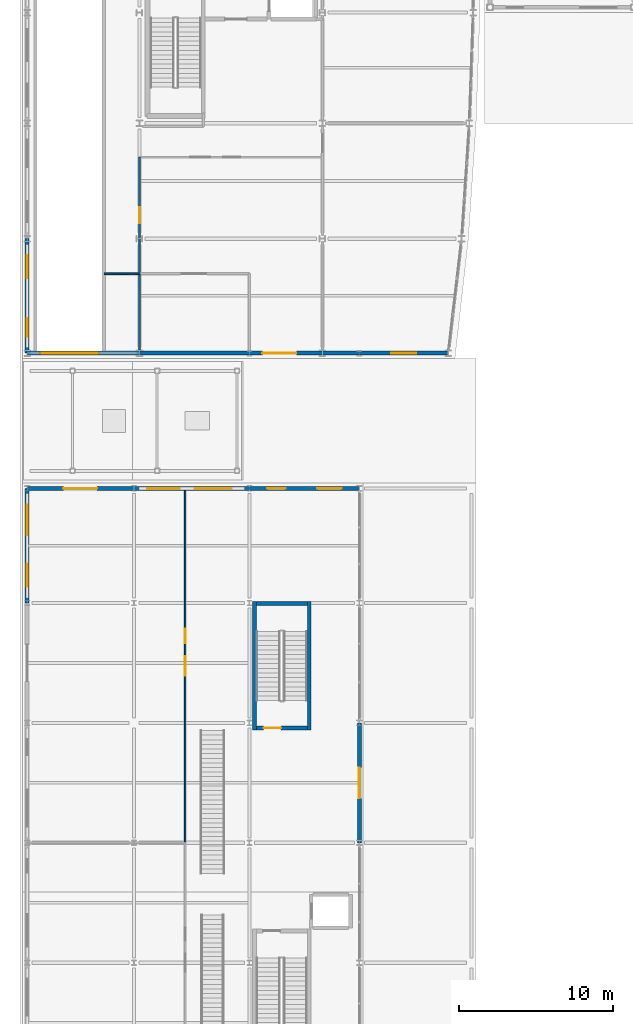
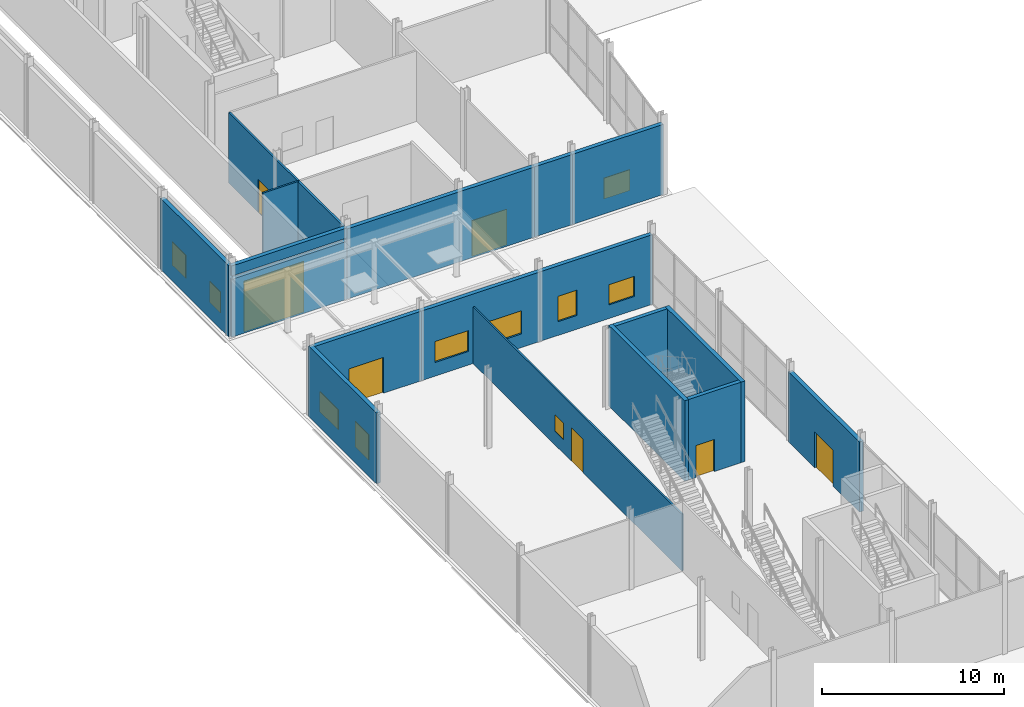
# One storey, part 64 of 83: 19 walls, 10 windows, 7 doors, 17 openings.
"""IFC4 building model written with IfcOpenShell, lengths in metres."""

from ifc_helpers import new_model, si_unit, direction, frame, frame_2d, origin, place, context, subcontext, project, spatial, rectangle, extrude, material, layer, layer_set, type_object, element, fill, save


model = new_model("IFC4")

# Units and contexts
model_context = context("Model", 3, precision=1e-05, world=origin(), true_north=direction((0.0, 1.0)))
body_context = subcontext(model_context, "Body", "Model", "MODEL_VIEW")
ifc_project = project(units=[si_unit("LENGTHUNIT", "METRE"), si_unit("AREAUNIT", "SQUARE_METRE"), si_unit("VOLUMEUNIT", "CUBIC_METRE"), si_unit("PLANEANGLEUNIT", "RADIAN"), si_unit("MASSUNIT", "GRAM", prefix="KILO")], contexts=[model_context])

# Site, building, storey
site_placement = place(None, origin())
site = spatial("IfcSite", under=ifc_project, at=site_placement, CompositionType="ELEMENT")
building_placement = place(site_placement, origin())
building = spatial("IfcBuilding", under=site, at=building_placement, Name="Quillay Park Conservatory", CompositionType="ELEMENT")
storey_placement = place(building_placement, origin())
storey = spatial("IfcBuildingStorey", under=building, at=storey_placement, Name="L00", CompositionType="ELEMENT", Elevation=0.0)

# Wall, openings, window, door
ifc_material_1 = material(Name="Steel-Stud Acoustic Gypsum Board Partition", Category="steel")
ifc_layer_1 = layer(ifc_material_1, 0.10009765625)
ifc_layer_set_1 = layer_set([ifc_layer_1], Name="ACOUSTIC GYPSUM PARTITION 100 (Steel-Stud Acoustic Gypsum Board Partition)")
wall_type_1 = type_object("IfcWallType", Name="ACOUSTIC GYPSUM PARTITION 100", PredefinedType="PARTITIONING", material=ifc_layer_set_1)
wall_1_placement = place(storey_placement, frame((10.820068359375, 31.199951171875, 0.0), z_axis=(0.0, 0.0, 1.0), x_axis=(0.0, 1.0, 0.0)))
wall_1 = element("IfcWall", 1, at=wall_1_placement, inside=storey, type_object=wall_type_1, Name="L00 Arrival East Wall", PredefinedType="PARTITIONING", context=body_context, shape_type="SweptSolid", body=[
    extrude(rectangle(XDim=22.949951171875, YDim=0.10009765625, at=frame_2d((11.47509765625, 0.0))), origin(), (0.0, 0.0, 1.0), 3.800048828125),
])
opening_1_placement = place(wall_1_placement, frame((10.860107421875, 0.0, 0.0)))
opening_1 = element("IfcOpeningElement", 2, at=opening_1_placement, cuts=wall_1, Name="Opening D-RM23", PredefinedType="OPENING", context=body_context, shape_type="SweptSolid", body=[
    extrude(rectangle(XDim=1.280029296875, YDim=2.25, at=frame_2d((0.64013671875, 1.125))), frame((0.0, 0.050048828125, 0.0), z_axis=(0.0, -1.0, 0.0), x_axis=(1.0, 0.0, 0.0)), (0.0, 0.0, 1.0), 0.10009765625),
])
opening_2_placement = place(wall_1_placement, frame((12.989990234375, 0.0, 0.919921875)))
opening_2 = element("IfcOpeningElement", 3, at=opening_2_placement, cuts=wall_1, Name="Opening W-IN02", PredefinedType="OPENING", context=body_context, shape_type="SweptSolid", body=[
    extrude(rectangle(XDim=0.949951171875, YDim=1.10009765625, at=frame_2d((0.47509765625, 0.550048828125))), frame((0.0, 0.050048828125, 0.0), z_axis=(0.0, -1.0, 0.0), x_axis=(1.0, 0.0, 0.0)), (0.0, 0.0, 1.0), 0.10009765625),
])
ifc_material_2 = material(Name="Low-E Double Glazing (Laminated Tempered)", Category="glass")
window_type_1 = type_object("IfcWindowType", Name="OPERABLE VENT WINDOW 950 X1100", PartitioningType="SINGLE_PANEL", PredefinedType="WINDOW", material=ifc_material_2)
window_1_placement = place(opening_2_placement, origin())
window_1 = element("IfcWindow", 4, at=window_1_placement, inside=storey, type_object=window_type_1, Name="L00 Laboratory Vision Panel 002", OverallHeight=1.10009765625, OverallWidth=0.949951171875, PartitioningType="SINGLE_PANEL", PredefinedType="WINDOW", context=body_context, shape_type="SweptSolid", body=[
    extrude(rectangle(XDim=0.949951171875, YDim=1.10009765625, at=frame_2d((0.47509765625, 0.550048828125))), frame((0.0, 0.030029296875, 0.0), z_axis=(0.0, -1.0, 0.0), x_axis=(1.0, 0.0, 0.0)), (0.0, 0.0, 1.0), 0.06005859375),
])
fill(opening_2, window_1)
ifc_material_3 = material(Name="Thermally Broken Anodised Aluminium 6063-T6", Category="aluminium")
door_type_1 = type_object("IfcDoorType", Name="SINGLE SWING DOOR 1280 X2250", OperationType="NOTDEFINED", PredefinedType="DOOR", material=ifc_material_3)
door_1_placement = place(opening_1_placement, origin())
door_1 = element("IfcDoor", 5, at=door_1_placement, inside=storey, type_object=door_type_1, Name="L00 Door to Visitor Centre Arrival Hall", OperationType="SINGLE_SWING_LEFT", OverallHeight=2.25, OverallWidth=1.280029296875, PredefinedType="DOOR", context=body_context, shape_type="SweptSolid", body=[
    extrude(rectangle(XDim=1.280029296875, YDim=2.25, at=frame_2d((0.64013671875, 1.125))), frame((0.0, 0.02490234375, 0.0), z_axis=(0.0, -1.0, 0.0), x_axis=(1.0, 0.0, 0.0)), (0.0, 0.0, 1.0), 0.050048828125),
])
fill(opening_1, door_1)

# Wall
ifc_material_4 = material(Name="Steel-Stud Acoustic Gypsum Board Partition", Category="steel")
ifc_layer_2 = layer(ifc_material_4, 0.110107421875)
ifc_layer_set_2 = layer_set([ifc_layer_2], Name="ACOUSTIC GYPSUM PARTITION 110 (Steel-Stud Acoustic Gypsum Board Partition)")
wall_type_2 = type_object("IfcWallType", Name="ACOUSTIC GYPSUM PARTITION 110", PredefinedType="PARTITIONING", material=ifc_layer_set_2)
wall_2_placement = place(storey_placement, frame((5.550048828125, 68.219970703125, 0.0), z_axis=(0.0, 0.0, 1.0), x_axis=(1.0, 0.0, 0.0)))
element("IfcWall", 6, at=wall_2_placement, inside=storey, type_object=wall_type_2, Name="L00 Spine South End Closure", PredefinedType="PARTITIONING", context=body_context, shape_type="SweptSolid", body=[
    extrude(rectangle(XDim=2.300048828125, YDim=0.110107421875, at=frame_2d((1.14990234375, 0.0))), origin(), (0.0, 0.0, 1.0), 4.72705078125),
])

# Wall, opening, door
ifc_material_5 = material(Name="Steel-Stud Acoustic Gypsum Board Partition", Category="steel")
ifc_layer_3 = layer(ifc_material_5, 0.1201171875)
ifc_layer_set_3 = layer_set([ifc_layer_3], Name="ACOUSTIC GYPSUM PARTITION 120 (Steel-Stud Acoustic Gypsum Board Partition)")
wall_type_3 = type_object("IfcWallType", Name="ACOUSTIC GYPSUM PARTITION 120", PredefinedType="PARTITIONING", material=ifc_layer_set_3)
wall_3_placement = place(storey_placement, frame((7.85009765625, 75.800048828125, 0.0), z_axis=(0.0, 0.0, 1.0), x_axis=(0.0, -1.0, 0.0)))
wall_3 = element("IfcWall", 7, at=wall_3_placement, inside=storey, type_object=wall_type_3, Name="L00 Reception West Wall", PredefinedType="PARTITIONING", context=body_context, shape_type="SweptSolid", body=[
    extrude(rectangle(XDim=7.580078125, YDim=0.1201171875, at=frame_2d((3.7900390625, 0.0))), origin(), (0.0, 0.0, 1.0), 4.72705078125),
])
opening_3_placement = place(wall_3_placement, frame((3.2548828125, 0.0, 0.0)))
opening_3 = element("IfcOpeningElement", 8, at=opening_3_placement, cuts=wall_3, Name="Opening D-RM15", PredefinedType="OPENING", context=body_context, shape_type="SweptSolid", body=[
    extrude(rectangle(XDim=1.050048828125, YDim=2.199951171875, at=frame_2d((0.52490234375, 1.10009765625))), frame((0.0, 0.06005859375, 0.0), z_axis=(0.0, -1.0, 0.0), x_axis=(1.0, 0.0, 0.0)), (0.0, 0.0, 1.0), 0.1201171875),
])
ifc_material_6 = material(Name="Thermally Broken Anodised Aluminium 6063-T6", Category="aluminium")
door_type_2 = type_object("IfcDoorType", Name="SINGLE SWING DOOR 1050 X2200", OperationType="NOTDEFINED", PredefinedType="DOOR", material=ifc_material_6)
door_2_placement = place(opening_3_placement, origin())
door_2 = element("IfcDoor", 9, at=door_2_placement, inside=storey, type_object=door_type_2, Name="L00 Door to Research Tower Entrance Hall", OperationType="SINGLE_SWING_LEFT", OverallHeight=2.199951171875, OverallWidth=1.050048828125, PredefinedType="DOOR", context=body_context, shape_type="SweptSolid", body=[
    extrude(rectangle(XDim=1.050048828125, YDim=2.199951171875, at=frame_2d((0.52490234375, 1.10009765625))), frame((0.0, 0.02490234375, 0.0), z_axis=(0.0, -1.0, 0.0), x_axis=(1.0, 0.0, 0.0)), (0.0, 0.0, 1.0), 0.050048828125),
])
fill(opening_3, door_2)

# Walls
ifc_material_7 = material(Name="Steel-Stud Acoustic Gypsum Board Partition", Category="steel")
ifc_layer_4 = layer(ifc_material_7, 0.139892578125)
ifc_layer_set_4 = layer_set([ifc_layer_4], Name="ACOUSTIC GYPSUM PARTITION 140 (Steel-Stud Acoustic Gypsum Board Partition)")
wall_type_4 = type_object("IfcWallType", Name="ACOUSTIC GYPSUM PARTITION 140", PredefinedType="PARTITIONING", material=ifc_layer_set_4)
wall_4_placement = place(storey_placement, frame((7.85009765625, 63.241455078125, 0.0), z_axis=(0.0, 0.0, 1.0), x_axis=(0.0, 1.0, 0.0)))
element("IfcWall", 10, at=wall_4_placement, inside=storey, type_object=wall_type_4, Name="L00 Fire Command Centre West Wall", PredefinedType="PARTITIONING", context=body_context, shape_type="SweptSolid", body=[
    extrude(rectangle(XDim=4.978515625, YDim=0.139892578125, at=frame_2d((2.4892578125, 0.0))), origin(), (0.0, 0.0, 1.0), 4.72705078125),
])
ifc_material_8 = material(Name="Concrete C40/50 (NCh170 Concrete C40/50)", Category="concrete")
ifc_layer_5 = layer(ifc_material_8, 0.25)
ifc_layer_set_5 = layer_set([ifc_layer_5], Name="CORE SHEAR WALL 250 (Concrete C40/50 (NCh170 Concrete C40/50))")
wall_type_5 = type_object("IfcWallType", Name="CORE SHEAR WALL 250", PredefinedType="SHEAR", material=ifc_layer_set_5)
for number, where, z_axis, x_axis, name in (
    (11, (15.324951171875, 38.550048828125, 0.0), (0.0, 0.0, 1.0), (0.0, 1.0, 0.0), "L00 Core Shear Wall WL-V2W-L00"),
    (12, (18.89501953125, 38.550048828125, 0.0), (0.0, 0.0, 1.0), (0.0, 1.0, 0.0), "L00 Core Shear Wall WL-V2E-L00"),
):
    element("IfcWall", number, at=place(storey_placement, frame(where, z_axis=z_axis, x_axis=x_axis)), inside=storey, type_object=wall_type_5, Name=name, PredefinedType="SHEAR", context=body_context, shape_type="SweptSolid", body=[
        extrude(rectangle(XDim=8.349853515625, YDim=0.25, at=frame_2d((4.1748046875, 0.0))), origin(), (0.0, 0.0, 1.0), 5.39990234375),
    ])
wall_5_placement = place(storey_placement, frame((15.449951171875, 46.77490234375, 0.0), z_axis=(0.0, 0.0, 1.0), x_axis=(1.0, 0.0, 0.0)))
element("IfcWall", 13, at=wall_5_placement, inside=storey, type_object=wall_type_5, Name="L00 Core Shear Wall WL-V2N-L00", PredefinedType="SHEAR", context=body_context, shape_type="SweptSolid", body=[
    extrude(rectangle(XDim=3.320068359375, YDim=0.25, at=frame_2d((1.66015625, 0.0))), origin(), (0.0, 0.0, 1.0), 5.39990234375),
])

# Wall, opening, door
wall_6_placement = place(storey_placement, frame((18.77001953125, 38.675048828125, 0.0), z_axis=(0.0, 0.0, 1.0), x_axis=(-1.0, 0.0, 0.0)))
wall_6 = element("IfcWall", 14, at=wall_6_placement, inside=storey, type_object=wall_type_5, Name="L00 Core Shear Wall WL-V2D-L00", PredefinedType="SHEAR", context=body_context, shape_type="SweptSolid", body=[
    extrude(rectangle(XDim=3.320068359375, YDim=0.25, at=frame_2d((1.66015625, 0.0))), origin(), (0.0, 0.0, 1.0), 5.39990234375),
])
opening_4_placement = place(wall_6_placement, frame((1.699951171875, 0.0, 0.0)))
opening_4 = element("IfcOpeningElement", 15, at=opening_4_placement, cuts=wall_6, Name="Opening D-ST02", PredefinedType="OPENING", context=body_context, shape_type="SweptSolid", body=[
    extrude(rectangle(XDim=1.14990234375, YDim=2.14990234375, at=frame_2d((0.574951171875, 1.074951171875))), frame((0.0, 0.125, 0.0), z_axis=(0.0, -1.0, 0.0), x_axis=(1.0, 0.0, 0.0)), (0.0, 0.0, 1.0), 0.25),
])
ifc_material_9 = material(Name="Steel ASTM A572 Grade 50", Category="steel")
door_type_3 = type_object("IfcDoorType", Name="FIRE RATED STAIR DOOR 1150 X2150", OperationType="NOTDEFINED", PredefinedType="DOOR", material=ifc_material_9)
door_3_placement = place(opening_4_placement, origin())
door_3 = element("IfcDoor", 16, at=door_3_placement, inside=storey, type_object=door_type_3, Name="L00 Visitor Stair ST-V2 Door", OperationType="SINGLE_SWING_RIGHT", OverallHeight=2.14990234375, OverallWidth=1.14990234375, PredefinedType="DOOR", context=body_context, shape_type="SweptSolid", body=[
    extrude(rectangle(XDim=1.14990234375, YDim=2.14990234375, at=frame_2d((0.574951171875, 1.074951171875))), frame((0.0, 0.02490234375, 0.0), z_axis=(0.0, -1.0, 0.0), x_axis=(1.0, 0.0, 0.0)), (0.0, 0.0, 1.0), 0.050048828125),
])
fill(opening_4, door_3)

# Wall, openings, windows
ifc_material_10 = material(Name="Glass-Fibre Reinforced Concrete (GRC) Cladding", Category="concrete")
ifc_layer_6 = layer(ifc_material_10, 0.260009765625)
ifc_layer_set_6 = layer_set([ifc_layer_6], Name="EXTERIOR SOLID WALL 260 (Glass-Fibre Reinforced Concrete (GRC) Cladding)")
wall_type_6 = type_object("IfcWallType", Name="EXTERIOR SOLID WALL 260", PredefinedType="SOLIDWALL", material=ifc_layer_set_6)
wall_7_placement = place(storey_placement, frame((0.550048828125, 46.800048828125, 0.0), z_axis=(0.0, 0.0, 1.0), x_axis=(0.0, 1.0, 0.0)))
wall_7 = element("IfcWall", 17, at=wall_7_placement, inside=storey, type_object=wall_type_6, Name="L00 External Wall WL-EXT-V3W-L00-6", PredefinedType="SOLIDWALL", context=body_context, shape_type="SweptSolid", body=[
    extrude(rectangle(XDim=7.449951171875, YDim=0.260009765625, at=frame_2d((3.72509765625, 0.0))), origin(), (0.0, 0.0, 1.0), 4.737060546875),
])
opening_5_placement = place(wall_7_placement, frame((1.050048828125, 0.0, 0.919921875)))
opening_5 = element("IfcOpeningElement", 18, at=opening_5_placement, cuts=wall_7, Name="Opening W-13", PredefinedType="OPENING", context=body_context, shape_type="SweptSolid", body=[
    extrude(rectangle(XDim=1.5, YDim=1.699951171875, at=frame_2d((0.75, 0.85009765625))), frame((0.0, 0.1298828125, 0.0), z_axis=(0.0, -1.0, 0.0), x_axis=(1.0, 0.0, 0.0)), (0.0, 0.0, 1.0), 0.260009765625),
])
opening_6_placement = place(wall_7_placement, frame((4.39990234375, 0.0, 0.919921875)))
opening_6 = element("IfcOpeningElement", 19, at=opening_6_placement, cuts=wall_7, Name="Opening W-20", PredefinedType="OPENING", context=body_context, shape_type="SweptSolid", body=[
    extrude(rectangle(XDim=2.0, YDim=1.35009765625, at=frame_2d((1.0, 0.675048828125))), frame((0.0, 0.1298828125, 0.0), z_axis=(0.0, -1.0, 0.0), x_axis=(1.0, 0.0, 0.0)), (0.0, 0.0, 1.0), 0.260009765625),
])
ifc_material_11 = material(Name="Low-E Double Glazing (Laminated Tempered)", Category="glass")
window_type_2 = type_object("IfcWindowType", Name="FIXED CASEMENT WINDOW 1500 X1700", PartitioningType="SINGLE_PANEL", PredefinedType="WINDOW", material=ifc_material_11)
window_2_placement = place(opening_5_placement, origin())
window_2 = element("IfcWindow", 20, at=window_2_placement, inside=storey, type_object=window_type_2, Name="L00 Exterior Window 0009", OverallHeight=1.699951171875, OverallWidth=1.5, PartitioningType="SINGLE_PANEL", PredefinedType="WINDOW", context=body_context, shape_type="SweptSolid", body=[
    extrude(rectangle(XDim=1.5, YDim=1.699951171875, at=frame_2d((0.75, 0.85009765625))), frame((0.0, 0.030029296875, 0.0), z_axis=(0.0, -1.0, 0.0), x_axis=(1.0, 0.0, 0.0)), (0.0, 0.0, 1.0), 0.06005859375),
])
fill(opening_5, window_2)
ifc_material_12 = material(Name="Low-E Double Glazing (Laminated Tempered)", Category="glass")
window_type_3 = type_object("IfcWindowType", Name="FIXED CASEMENT WINDOW 2000 X1350", PartitioningType="DOUBLE_PANEL_VERTICAL", PredefinedType="WINDOW", material=ifc_material_12)
window_3_placement = place(opening_6_placement, origin())
window_3 = element("IfcWindow", 21, at=window_3_placement, inside=storey, type_object=window_type_3, Name="L00 Exterior Window 0010", OverallHeight=1.35009765625, OverallWidth=2.0, PartitioningType="DOUBLE_PANEL_VERTICAL", PredefinedType="WINDOW", context=body_context, shape_type="SweptSolid", body=[
    extrude(rectangle(XDim=2.0, YDim=1.35009765625, at=frame_2d((1.0, 0.675048828125))), frame((0.0, 0.030029296875, 0.0), z_axis=(0.0, -1.0, 0.0), x_axis=(1.0, 0.0, 0.0)), (0.0, 0.0, 1.0), 0.06005859375),
])
fill(opening_6, window_3)

# Wall, opening, door
wall_8_placement = place(storey_placement, frame((0.550048828125, 54.25, 0.0), z_axis=(0.0, 0.0, 1.0), x_axis=(1.0, 0.0, 0.0)))
wall_8 = element("IfcWall", 22, at=wall_8_placement, inside=storey, type_object=wall_type_6, Name="L00 External Wall WL-EXT-V3N1-L00", PredefinedType="SOLIDWALL", context=body_context, shape_type="SweptSolid", body=[
    extrude(rectangle(XDim=6.949951171875, YDim=0.260009765625, at=frame_2d((3.47509765625, 0.0))), origin(), (0.0, 0.0, 1.0), 4.660888671875),
])
opening_7_placement = place(wall_8_placement, frame((2.35009765625, 0.0, 0.0)))
opening_7 = element("IfcOpeningElement", 23, at=opening_7_placement, cuts=wall_8, Name="Opening D-EX03", PredefinedType="OPENING", context=body_context, shape_type="SweptSolid", body=[
    extrude(rectangle(XDim=2.199951171875, YDim=2.39990234375, at=frame_2d((1.10009765625, 1.199951171875))), frame((0.0, 0.1298828125, 0.0), z_axis=(0.0, -1.0, 0.0), x_axis=(1.0, 0.0, 0.0)), (0.0, 0.0, 1.0), 0.260009765625),
])
ifc_material_13 = material(Name="Thermally Broken Anodised Aluminium 6063-T6", Category="aluminium")
door_type_4 = type_object("IfcDoorType", Name="PEDESTRIAN EXIT DOOR 2200 X2400", OperationType="NOTDEFINED", PredefinedType="DOOR", material=ifc_material_13)
door_4_placement = place(opening_7_placement, origin())
door_4 = element("IfcDoor", 24, at=door_4_placement, inside=storey, type_object=door_type_4, Name="Forecourt Pedestrian Exit D-EX03", OperationType="DOUBLE_DOOR_SINGLE_SWING", OverallHeight=2.39990234375, OverallWidth=2.199951171875, PredefinedType="DOOR", context=body_context, shape_type="SweptSolid", body=[
    extrude(rectangle(XDim=2.199951171875, YDim=2.39990234375, at=frame_2d((1.10009765625, 1.199951171875))), frame((0.0, 0.02490234375, 0.0), z_axis=(0.0, -1.0, 0.0), x_axis=(1.0, 0.0, 0.0)), (0.0, 0.0, 1.0), 0.050048828125),
])
fill(opening_7, door_4)

# Wall, openings, windows
wall_9_placement = place(storey_placement, frame((7.5, 54.25, 0.0), z_axis=(0.0, 0.0, 1.0), x_axis=(1.0, 0.0, 0.0)))
wall_9 = element("IfcWall", 25, at=wall_9_placement, inside=storey, type_object=wall_type_6, Name="L00 External Wall WL-EXT-V3N2-L00", PredefinedType="SOLIDWALL", context=body_context, shape_type="SweptSolid", body=[
    extrude(rectangle(XDim=7.5, YDim=0.260009765625, at=frame_2d((3.75, 0.0))), origin(), (0.0, 0.0, 1.0), 4.660888671875),
])
opening_8_placement = place(wall_9_placement, frame((0.864990234375, 0.0, 0.919921875)))
opening_8 = element("IfcOpeningElement", 26, at=opening_8_placement, cuts=wall_9, Name="Opening W-06", PredefinedType="OPENING", context=body_context, shape_type="SweptSolid", body=[
    extrude(rectangle(XDim=2.10009765625, YDim=1.39990234375, at=frame_2d((1.050048828125, 0.699951171875))), frame((0.0, 0.1298828125, 0.0), z_axis=(0.0, -1.0, 0.0), x_axis=(1.0, 0.0, 0.0)), (0.0, 0.0, 1.0), 0.260009765625),
])
opening_9_placement = place(wall_9_placement, frame((3.955078125, 0.0, 0.919921875)))
opening_9 = element("IfcOpeningElement", 27, at=opening_9_placement, cuts=wall_9, Name="Opening W-11", PredefinedType="OPENING", context=body_context, shape_type="SweptSolid", body=[
    extrude(rectangle(XDim=2.39990234375, YDim=1.550048828125, at=frame_2d((1.199951171875, 0.77490234375))), frame((0.0, 0.1298828125, 0.0), z_axis=(0.0, -1.0, 0.0), x_axis=(1.0, 0.0, 0.0)), (0.0, 0.0, 1.0), 0.260009765625),
])
ifc_material_14 = material(Name="Low-E Double Glazing (Laminated Tempered)", Category="glass")
window_type_4 = type_object("IfcWindowType", Name="FIXED CASEMENT WINDOW 2100 X1400", PartitioningType="DOUBLE_PANEL_VERTICAL", PredefinedType="WINDOW", material=ifc_material_14)
window_4_placement = place(opening_8_placement, origin())
window_4 = element("IfcWindow", 28, at=window_4_placement, inside=storey, type_object=window_type_4, Name="L00 Exterior Window 0011", OverallHeight=1.39990234375, OverallWidth=2.10009765625, PartitioningType="DOUBLE_PANEL_VERTICAL", PredefinedType="WINDOW", context=body_context, shape_type="SweptSolid", body=[
    extrude(rectangle(XDim=2.10009765625, YDim=1.39990234375, at=frame_2d((1.050048828125, 0.699951171875))), frame((0.0, 0.030029296875, 0.0), z_axis=(0.0, -1.0, 0.0), x_axis=(1.0, 0.0, 0.0)), (0.0, 0.0, 1.0), 0.06005859375),
])
fill(opening_8, window_4)
ifc_material_15 = material(Name="Low-E Double Glazing (Laminated Tempered)", Category="glass")
window_type_5 = type_object("IfcWindowType", Name="FIXED CASEMENT WINDOW 2400 X1550", PartitioningType="DOUBLE_PANEL_VERTICAL", PredefinedType="WINDOW", material=ifc_material_15)
window_5_placement = place(opening_9_placement, origin())
window_5 = element("IfcWindow", 29, at=window_5_placement, inside=storey, type_object=window_type_5, Name="L00 Exterior Window 0012", OverallHeight=1.550048828125, OverallWidth=2.39990234375, PartitioningType="DOUBLE_PANEL_VERTICAL", PredefinedType="WINDOW", context=body_context, shape_type="SweptSolid", body=[
    extrude(rectangle(XDim=2.39990234375, YDim=1.550048828125, at=frame_2d((1.199951171875, 0.77490234375))), frame((0.0, 0.030029296875, 0.0), z_axis=(0.0, -1.0, 0.0), x_axis=(1.0, 0.0, 0.0)), (0.0, 0.0, 1.0), 0.06005859375),
])
fill(opening_9, window_5)

wall_10_placement = place(storey_placement, frame((15.0, 54.25, 0.0), z_axis=(0.0, 0.0, 1.0), x_axis=(1.0, 0.0, 0.0)))
wall_10 = element("IfcWall", 30, at=wall_10_placement, inside=storey, type_object=wall_type_6, Name="L00 External Wall WL-EXT-V3N3-L00", PredefinedType="SOLIDWALL", context=body_context, shape_type="SweptSolid", body=[
    extrude(rectangle(XDim=7.14990234375, YDim=0.260009765625, at=frame_2d((3.574951171875, 0.0))), origin(), (0.0, 0.0, 1.0), 4.660888671875),
])
opening_10_placement = place(wall_10_placement, frame((1.14990234375, 0.0, 0.919921875)))
opening_10 = element("IfcOpeningElement", 31, at=opening_10_placement, cuts=wall_10, Name="Opening W-12", PredefinedType="OPENING", context=body_context, shape_type="SweptSolid", body=[
    extrude(rectangle(XDim=1.199951171875, YDim=1.699951171875, at=frame_2d((0.60009765625, 0.85009765625))), frame((0.0, 0.1298828125, 0.0), z_axis=(0.0, -1.0, 0.0), x_axis=(1.0, 0.0, 0.0)), (0.0, 0.0, 1.0), 0.260009765625),
])
opening_11_placement = place(wall_10_placement, frame((4.39990234375, 0.0, 0.919921875)))
opening_11 = element("IfcOpeningElement", 32, at=opening_11_placement, cuts=wall_10, Name="Opening W-19", PredefinedType="OPENING", context=body_context, shape_type="SweptSolid", body=[
    extrude(rectangle(XDim=1.60009765625, YDim=1.35009765625, at=frame_2d((0.800048828125, 0.675048828125))), frame((0.0, 0.1298828125, 0.0), z_axis=(0.0, -1.0, 0.0), x_axis=(1.0, 0.0, 0.0)), (0.0, 0.0, 1.0), 0.260009765625),
])
ifc_material_16 = material(Name="Low-E Double Glazing (Laminated Tempered)", Category="glass")
window_type_6 = type_object("IfcWindowType", Name="FIXED CASEMENT WINDOW 1200 X1700", PartitioningType="SINGLE_PANEL", PredefinedType="WINDOW", material=ifc_material_16)
window_6_placement = place(opening_10_placement, origin())
window_6 = element("IfcWindow", 33, at=window_6_placement, inside=storey, type_object=window_type_6, Name="L00 Exterior Window 0013", OverallHeight=1.699951171875, OverallWidth=1.199951171875, PartitioningType="SINGLE_PANEL", PredefinedType="WINDOW", context=body_context, shape_type="SweptSolid", body=[
    extrude(rectangle(XDim=1.199951171875, YDim=1.699951171875, at=frame_2d((0.60009765625, 0.85009765625))), frame((0.0, 0.030029296875, 0.0), z_axis=(0.0, -1.0, 0.0), x_axis=(1.0, 0.0, 0.0)), (0.0, 0.0, 1.0), 0.06005859375),
])
fill(opening_10, window_6)
ifc_material_17 = material(Name="Low-E Double Glazing (Laminated Tempered)", Category="glass")
window_type_7 = type_object("IfcWindowType", Name="FIXED CASEMENT WINDOW 1600 X1350", PartitioningType="DOUBLE_PANEL_VERTICAL", PredefinedType="WINDOW", material=ifc_material_17)
window_7_placement = place(opening_11_placement, origin())
window_7 = element("IfcWindow", 34, at=window_7_placement, inside=storey, type_object=window_type_7, Name="L00 Exterior Window 0014", OverallHeight=1.35009765625, OverallWidth=1.60009765625, PartitioningType="DOUBLE_PANEL_VERTICAL", PredefinedType="WINDOW", context=body_context, shape_type="SweptSolid", body=[
    extrude(rectangle(XDim=1.60009765625, YDim=1.35009765625, at=frame_2d((0.800048828125, 0.675048828125))), frame((0.0, 0.030029296875, 0.0), z_axis=(0.0, -1.0, 0.0), x_axis=(1.0, 0.0, 0.0)), (0.0, 0.0, 1.0), 0.06005859375),
])
fill(opening_11, window_7)

# Wall, opening, door
wall_11_placement = place(storey_placement, frame((22.14990234375, 39.0, 0.0), z_axis=(0.0, 0.0, 1.0), x_axis=(0.0, -1.0, 0.0)))
wall_11 = element("IfcWall", 35, at=wall_11_placement, inside=storey, type_object=wall_type_6, Name="L00 External Wall WL-EXT-V3E-L00", PredefinedType="SOLIDWALL", context=body_context, shape_type="SweptSolid", body=[
    extrude(rectangle(XDim=7.800048828125, YDim=0.260009765625, at=frame_2d((3.89990234375, 0.0))), origin(), (0.0, 0.0, 1.0), 4.699951171875),
])
opening_12_placement = place(wall_11_placement, frame((2.89990234375, 0.0, 0.0)))
opening_12 = element("IfcOpeningElement", 36, at=opening_12_placement, cuts=wall_11, Name="Opening D-EX04", PredefinedType="OPENING", context=body_context, shape_type="SweptSolid", body=[
    extrude(rectangle(XDim=2.0, YDim=2.39990234375, at=frame_2d((1.0, 1.199951171875))), frame((0.0, 0.1298828125, 0.0), z_axis=(0.0, -1.0, 0.0), x_axis=(1.0, 0.0, 0.0)), (0.0, 0.0, 1.0), 0.260009765625),
])
ifc_material_18 = material(Name="Thermally Broken Anodised Aluminium 6063-T6", Category="aluminium")
door_type_5 = type_object("IfcDoorType", Name="PEDESTRIAN EXIT DOOR 2000 X2400", OperationType="NOTDEFINED", PredefinedType="DOOR", material=ifc_material_18)
door_5_placement = place(opening_12_placement, origin())
door_5 = element("IfcDoor", 37, at=door_5_placement, inside=storey, type_object=door_type_5, Name="Botanical Court Pedestrian Exit D-EX04", OperationType="DOUBLE_DOOR_SINGLE_SWING", OverallHeight=2.39990234375, OverallWidth=2.0, PredefinedType="DOOR", context=body_context, shape_type="SweptSolid", body=[
    extrude(rectangle(XDim=2.0, YDim=2.39990234375, at=frame_2d((1.0, 1.199951171875))), frame((0.0, 0.02490234375, 0.0), z_axis=(0.0, -1.0, 0.0), x_axis=(1.0, 0.0, 0.0)), (0.0, 0.0, 1.0), 0.050048828125),
])
fill(opening_12, door_5)

# Wall, openings, windows
wall_12_placement = place(storey_placement, frame((0.550048828125, 63.050048828125, 0.0), z_axis=(0.0, 0.0, 1.0), x_axis=(0.0, 1.0, 0.0)))
wall_12 = element("IfcWall", 38, at=wall_12_placement, inside=storey, type_object=wall_type_6, Name="L00 External Wall WL-EXT-V4W-L00-0", PredefinedType="SOLIDWALL", context=body_context, shape_type="SweptSolid", body=[
    extrude(rectangle(XDim=7.449951171875, YDim=0.260009765625, at=frame_2d((3.72509765625, 0.0))), origin(), (0.0, 0.0, 1.0), 4.777099609375),
])
opening_13_placement = place(wall_12_placement, frame((1.070068359375, 0.0, 0.919921875)))
opening_13 = element("IfcOpeningElement", 39, at=opening_13_placement, cuts=wall_12, Name="Opening W-01", PredefinedType="OPENING", context=body_context, shape_type="SweptSolid", body=[
    extrude(rectangle(XDim=1.199951171875, YDim=1.39990234375, at=frame_2d((0.60009765625, 0.699951171875))), frame((0.0, 0.1298828125, 0.0), z_axis=(0.0, -1.0, 0.0), x_axis=(1.0, 0.0, 0.0)), (0.0, 0.0, 1.0), 0.260009765625),
])
opening_14_placement = place(wall_12_placement, frame((4.8798828125, 0.0, 0.919921875)))
opening_14 = element("IfcOpeningElement", 40, at=opening_14_placement, cuts=wall_12, Name="Opening W-08", PredefinedType="OPENING", context=body_context, shape_type="SweptSolid", body=[
    extrude(rectangle(XDim=1.5, YDim=1.550048828125, at=frame_2d((0.75, 0.77490234375))), frame((0.0, 0.1298828125, 0.0), z_axis=(0.0, -1.0, 0.0), x_axis=(1.0, 0.0, 0.0)), (0.0, 0.0, 1.0), 0.260009765625),
])
ifc_material_19 = material(Name="Low-E Double Glazing (Laminated Tempered)", Category="glass")
window_type_8 = type_object("IfcWindowType", Name="FIXED CASEMENT WINDOW 1200 X1400", PartitioningType="SINGLE_PANEL", PredefinedType="WINDOW", material=ifc_material_19)
window_8_placement = place(opening_13_placement, origin())
window_8 = element("IfcWindow", 41, at=window_8_placement, inside=storey, type_object=window_type_8, Name="L00 Exterior Window 0071", OverallHeight=1.39990234375, OverallWidth=1.199951171875, PartitioningType="SINGLE_PANEL", PredefinedType="WINDOW", context=body_context, shape_type="SweptSolid", body=[
    extrude(rectangle(XDim=1.199951171875, YDim=1.39990234375, at=frame_2d((0.60009765625, 0.699951171875))), frame((0.0, 0.030029296875, 0.0), z_axis=(0.0, -1.0, 0.0), x_axis=(1.0, 0.0, 0.0)), (0.0, 0.0, 1.0), 0.06005859375),
])
fill(opening_13, window_8)
ifc_material_20 = material(Name="Low-E Double Glazing (Laminated Tempered)", Category="glass")
window_type_9 = type_object("IfcWindowType", Name="FIXED CASEMENT WINDOW 1500 X1550", PartitioningType="SINGLE_PANEL", PredefinedType="WINDOW", material=ifc_material_20)
window_9_placement = place(opening_14_placement, origin())
window_9 = element("IfcWindow", 42, at=window_9_placement, inside=storey, type_object=window_type_9, Name="L00 Exterior Window 0072", OverallHeight=1.550048828125, OverallWidth=1.5, PartitioningType="SINGLE_PANEL", PredefinedType="WINDOW", context=body_context, shape_type="SweptSolid", body=[
    extrude(rectangle(XDim=1.5, YDim=1.550048828125, at=frame_2d((0.75, 0.77490234375))), frame((0.0, 0.030029296875, 0.0), z_axis=(0.0, -1.0, 0.0), x_axis=(1.0, 0.0, 0.0)), (0.0, 0.0, 1.0), 0.06005859375),
])
fill(opening_14, window_9)

# Wall, opening, door
wall_13_placement = place(storey_placement, frame((7.85009765625, 63.050048828125, 0.0), z_axis=(0.0, 0.0, 1.0), x_axis=(-1.0, 0.0, 0.0)))
wall_13 = element("IfcWall", 43, at=wall_13_placement, inside=storey, type_object=wall_type_6, Name="L00 External Wall WL-EXT-V4S-RMP", PredefinedType="SOLIDWALL", context=body_context, shape_type="SweptSolid", body=[
    extrude(rectangle(XDim=7.300048828125, YDim=0.260009765625, at=frame_2d((3.64990234375, 0.0))), origin(), (0.0, 0.0, 1.0), 3.883056640625),
])
opening_15_placement = place(wall_13_placement, frame((2.64990234375, 0.0, 0.0)))
opening_15 = element("IfcOpeningElement", 44, at=opening_15_placement, cuts=wall_13, Name="Opening D-SV02", PredefinedType="OPENING", context=body_context, shape_type="SweptSolid", body=[
    extrude(rectangle(XDim=3.800048828125, YDim=3.39990234375, at=frame_2d((1.89990234375, 1.699951171875))), frame((0.0, 0.1298828125, 0.0), z_axis=(0.0, -1.0, 0.0), x_axis=(1.0, 0.0, 0.0)), (0.0, 0.0, 1.0), 0.260009765625),
])
ifc_material_21 = material(Name="Thermally Broken Anodised Aluminium 6063-T6", Category="aluminium")
door_type_6 = type_object("IfcDoorType", Name="VEHICLE ROLLER SHUTTER 3800 X3400", OperationType="NOTDEFINED", PredefinedType="GATE", material=ifc_material_21)
door_6_placement = place(opening_15_placement, origin())
door_6 = element("IfcDoor", 45, at=door_6_placement, inside=storey, type_object=door_type_6, Name="D-SV02 Vehicle Roller Shutter", OperationType="ROLLINGUP", OverallHeight=3.39990234375, OverallWidth=3.800048828125, PredefinedType="GATE", context=body_context, shape_type="SweptSolid", body=[
    extrude(rectangle(XDim=3.800048828125, YDim=3.39990234375, at=frame_2d((1.89990234375, 1.699951171875))), frame((0.0, 0.02490234375, 0.0), z_axis=(0.0, -1.0, 0.0), x_axis=(1.0, 0.0, 0.0)), (0.0, 0.0, 1.0), 0.050048828125),
])
fill(opening_15, door_6)

# Wall
wall_14_placement = place(storey_placement, frame((0.550048828125, 63.050048828125, 4.10205078125), z_axis=(0.0, 0.0, 1.0), x_axis=(1.0, 0.0, 0.0)))
element("IfcWall", 46, at=wall_14_placement, inside=storey, type_object=wall_type_6, Name="L00 External Wall WL-EXT-V4S-RMPU", PredefinedType="SOLIDWALL", context=body_context, shape_type="SweptSolid", body=[
    extrude(rectangle(XDim=7.300048828125, YDim=0.260009765625, at=frame_2d((3.64990234375, 0.0))), origin(), (0.0, 0.0, 1.0), 0.675048828125),
])

# Wall, opening, door
wall_15_placement = place(storey_placement, frame((19.75, 63.050048828125, 0.0), z_axis=(0.0, 0.0, 1.0), x_axis=(-1.0, 0.0, 0.0)))
wall_15 = element("IfcWall", 47, at=wall_15_placement, inside=storey, type_object=wall_type_6, Name="L00 External Wall WL-EXT-V4S-ENT", PredefinedType="SOLIDWALL", context=body_context, shape_type="SweptSolid", body=[
    extrude(rectangle(XDim=11.89990234375, YDim=0.260009765625, at=frame_2d((5.949951171875, 0.0))), origin(), (0.0, 0.0, 1.0), 4.699951171875),
])
opening_16_placement = place(wall_15_placement, frame((1.699951171875, 0.0, 0.0)))
opening_16 = element("IfcOpeningElement", 48, at=opening_16_placement, cuts=wall_15, Name="Opening D-EX05", PredefinedType="OPENING", context=body_context, shape_type="SweptSolid", body=[
    extrude(rectangle(XDim=2.199951171875, YDim=2.39990234375, at=frame_2d((1.10009765625, 1.199951171875))), frame((0.0, 0.1298828125, 0.0), z_axis=(0.0, -1.0, 0.0), x_axis=(1.0, 0.0, 0.0)), (0.0, 0.0, 1.0), 0.260009765625),
])
door_7_placement = place(opening_16_placement, origin())
door_7 = element("IfcDoor", 49, at=door_7_placement, inside=storey, type_object=door_type_4, Name="Tower Forecourt Pedestrian Exit D-EX05", OperationType="DOUBLE_DOOR_SINGLE_SWING", OverallHeight=2.39990234375, OverallWidth=2.199951171875, PredefinedType="DOOR", context=body_context, shape_type="SweptSolid", body=[
    extrude(rectangle(XDim=2.199951171875, YDim=2.39990234375, at=frame_2d((1.10009765625, 1.199951171875))), frame((0.0, 0.02490234375, 0.0), z_axis=(0.0, -1.0, 0.0), x_axis=(1.0, 0.0, 0.0)), (0.0, 0.0, 1.0), 0.050048828125),
])
fill(opening_16, door_7)

# Wall
wall_16_placement = place(storey_placement, frame((22.14990234375, 63.050048828125, 0.0), z_axis=(0.0, 0.0, 1.0), x_axis=(-1.0, 0.0, 0.0)))
element("IfcWall", 50, at=wall_16_placement, inside=storey, type_object=wall_type_6, Name="L00 External Wall WL-EXT-V4S-ENTP", PredefinedType="SOLIDWALL", context=body_context, shape_type="SweptSolid", body=[
    extrude(rectangle(XDim=2.39990234375, YDim=0.260009765625, at=frame_2d((1.199951171875, 0.0))), origin(), (0.0, 0.0, 1.0), 4.699951171875),
])

# Wall, opening, window
wall_17_placement = place(storey_placement, frame((27.925048828125, 63.050048828125, 0.0), z_axis=(0.0, 0.0, 1.0), x_axis=(-1.0, 0.0, 0.0)))
wall_17 = element("IfcWall", 51, at=wall_17_placement, inside=storey, type_object=wall_type_6, Name="L00 External Wall WL-EXT-V4S-ENTE", PredefinedType="SOLIDWALL", context=body_context, shape_type="SweptSolid", body=[
    extrude(rectangle(XDim=5.775146484375, YDim=0.260009765625, at=frame_2d((2.8876953125, 0.0))), origin(), (0.0, 0.0, 1.0), 4.699951171875),
])
opening_17_placement = place(wall_17_placement, frame((2.0625, 0.0, 0.919921875)))
opening_17 = element("IfcOpeningElement", 52, at=opening_17_placement, cuts=wall_17, Name="Opening W-04", PredefinedType="OPENING", context=body_context, shape_type="SweptSolid", body=[
    extrude(rectangle(XDim=1.64990234375, YDim=1.39990234375, at=frame_2d((0.824951171875, 0.699951171875))), frame((0.0, 0.1298828125, 0.0), z_axis=(0.0, -1.0, 0.0), x_axis=(1.0, 0.0, 0.0)), (0.0, 0.0, 1.0), 0.260009765625),
])
ifc_material_22 = material(Name="Low-E Double Glazing (Laminated Tempered)", Category="glass")
window_type_10 = type_object("IfcWindowType", Name="FIXED CASEMENT WINDOW 1650 X1400", PartitioningType="DOUBLE_PANEL_VERTICAL", PredefinedType="WINDOW", material=ifc_material_22)
window_10_placement = place(opening_17_placement, origin())
window_10 = element("IfcWindow", 53, at=window_10_placement, inside=storey, type_object=window_type_10, Name="L00 Exterior Window 0085", OverallHeight=1.39990234375, OverallWidth=1.64990234375, PartitioningType="DOUBLE_PANEL_VERTICAL", PredefinedType="WINDOW", context=body_context, shape_type="SweptSolid", body=[
    extrude(rectangle(XDim=1.64990234375, YDim=1.39990234375, at=frame_2d((0.824951171875, 0.699951171875))), frame((0.0, 0.030029296875, 0.0), z_axis=(0.0, -1.0, 0.0), x_axis=(1.0, 0.0, 0.0)), (0.0, 0.0, 1.0), 0.06005859375),
])
fill(opening_17, window_10)

save(model, "model.ifc")
